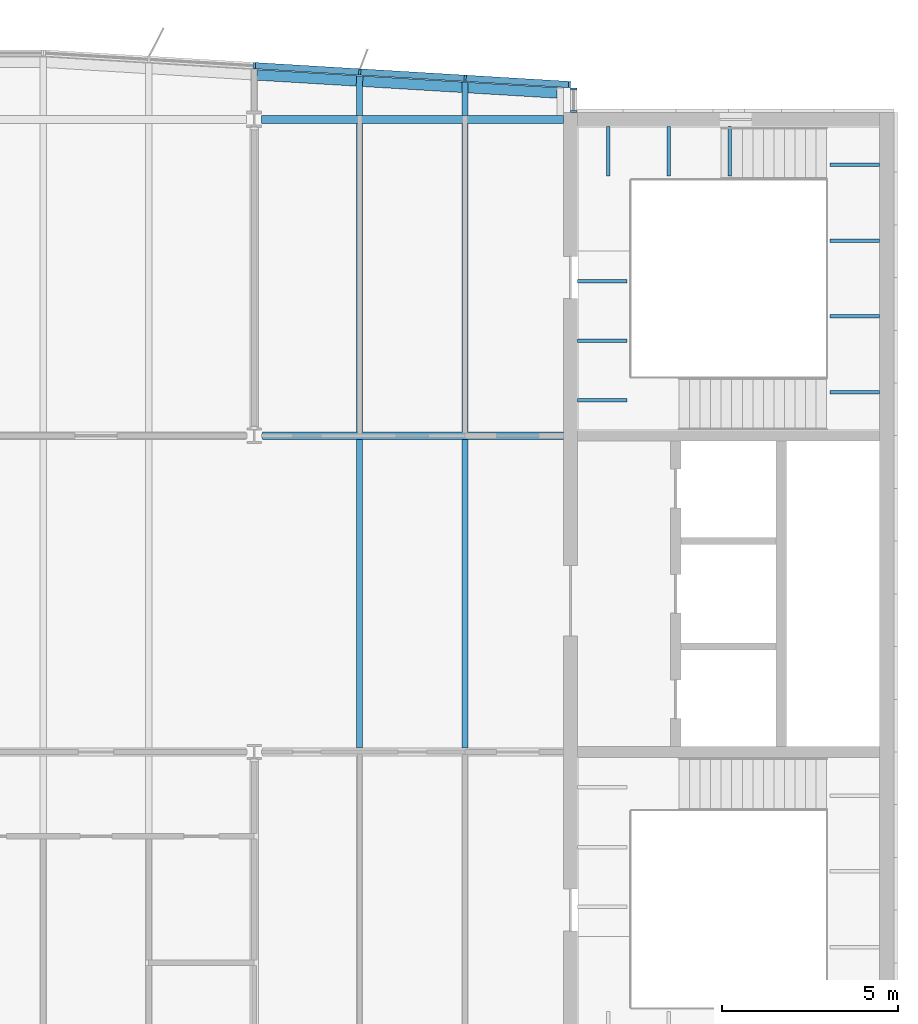
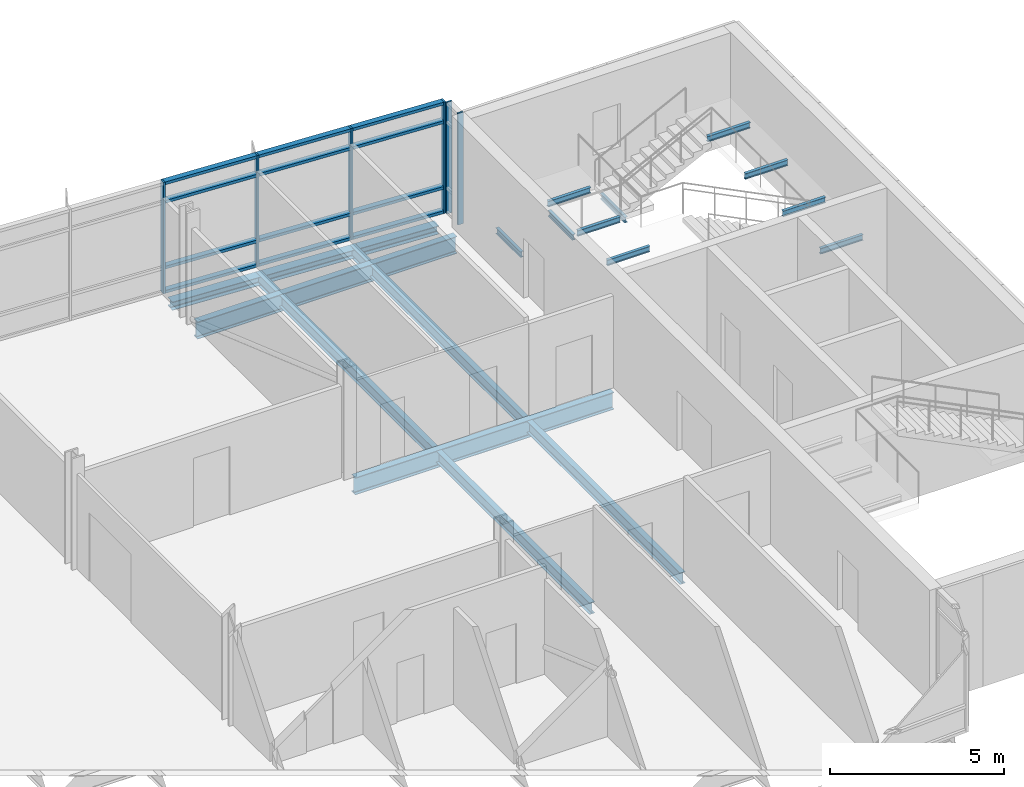
# One storey, part 8 of 21: 21 beams, 18 members, 2 elements without a shape of their own.
"""IFC4 building model written with IfcOpenShell, lengths in metres."""

from ifc_helpers import new_model, si_unit, direction, frame, origin, origin_2d, place, context, subcontext, project, spatial, rectangle, i_section, extrude, material, material_profile, profile_set, type_object, element, aggregate, save


model = new_model("IFC4")

# Units and contexts
model_context = context("Model", 3, precision=1e-05, world=origin(), true_north=direction((0.0, 1.0)))
body_context = subcontext(model_context, "Body", "Model", "MODEL_VIEW")
ifc_project = project(units=[si_unit("LENGTHUNIT", "METRE"), si_unit("AREAUNIT", "SQUARE_METRE"), si_unit("VOLUMEUNIT", "CUBIC_METRE"), si_unit("PLANEANGLEUNIT", "RADIAN"), si_unit("MASSUNIT", "GRAM", prefix="KILO")], contexts=[model_context])

# Site, building, storey
site_placement = place(None, origin())
site = spatial("IfcSite", under=ifc_project, at=site_placement, CompositionType="ELEMENT")
building_placement = place(site_placement, origin())
building = spatial("IfcBuilding", under=site, at=building_placement, Name="Azimuth Sports and Learning Centre", CompositionType="ELEMENT")
storey_placement = place(building_placement, frame((0.0, 0.0, 32.39990234375)))
storey = spatial("IfcBuildingStorey", under=building, at=storey_placement, Name="L06", CompositionType="ELEMENT", Elevation=32.39990234375)

# Beams
ifc_material_1 = material(Name="Steel S355", Category="steel")
ifc_material_profile_1 = material_profile(ifc_material_1, i_section(OverallWidth=0.10009765625, OverallDepth=0.199951171875, WebThickness=0.005615234375, FlangeThickness=0.008544921875, FilletRadius=0.011962890625, at=origin_2d()), Name="IPE 200")
ifc_profile_set_1 = profile_set([ifc_material_profile_1], Name="Steel S355")
beam_type_1 = type_object("IfcBeamType", Name="Beam IPE 200", PredefinedType="BEAM", material=ifc_profile_set_1)
for number, where, z_axis, x_axis, name in (
    (1, (109.0732421875, 116.800048828125, -0.2998046875), (0.0, -1.0, 0.0), (1.0, 0.0, 0.0), "Landing bracket E2 L06 593"),
    (2, (110.800048828125, 116.800048828125, -0.2998046875), (0.0, -1.0, 0.0), (1.0, 0.0, 0.0), "Landing bracket E2 L06 594"),
    (3, (112.526611328125, 116.800048828125, -0.2998046875), (0.0, -1.0, 0.0), (1.0, 0.0, 0.0), "Landing bracket E2 L06 595"),
    (4, (116.800048828125, 109.23876953125, 1.35009765625), (-1.0, 0.0, 0.0), (0.0, -1.0, 0.0), "Landing bracket E2 L06 596"),
    (5, (116.800048828125, 111.396240234375, 1.35009765625), (-1.0, 0.0, 0.0), (0.0, -1.0, 0.0), "Landing bracket E2 L06 597"),
    (6, (116.800048828125, 113.5537109375, 1.35009765625), (-1.0, 0.0, 0.0), (0.0, -1.0, 0.0), "Landing bracket E2 L06 598"),
    (7, (116.800048828125, 115.711181640625, 1.35009765625), (-1.0, 0.0, 0.0), (0.0, -1.0, 0.0), "Landing bracket E2 L06 599"),
    (8, (108.199951171875, 109.00830078125, 3.60009765625), (1.0, 0.0, 0.0), (0.0, 1.0, 0.0), "Landing bracket E2 L06 600"),
    (9, (108.199951171875, 110.705078125, 3.60009765625), (1.0, 0.0, 0.0), (0.0, 1.0, 0.0), "Landing bracket E2 L06 601"),
    (10, (108.199951171875, 112.401611328125, 3.60009765625), (1.0, 0.0, 0.0), (0.0, 1.0, 0.0), "Landing bracket E2 L06 602"),
):
    element("IfcBeam", number, at=place(storey_placement, frame(where, z_axis=z_axis, x_axis=x_axis)), inside=storey, type_object=beam_type_1, Name=name, PredefinedType="BEAM", context=body_context, shape_type="SweptSolid", body=[
        extrude(i_section(OverallWidth=0.10009765625, OverallDepth=0.199951171875, WebThickness=0.005615234375, FlangeThickness=0.008544921875, FilletRadius=0.011962890625, at=origin_2d()), origin(), (0.0, 0.0, 1.0), 1.41015625),
    ])
ifc_material_2 = material(Name="Steel S355", Category="steel")
ifc_material_profile_2 = material_profile(ifc_material_2, i_section(OverallWidth=0.219970703125, OverallDepth=0.60009765625, WebThickness=0.011962890625, FlangeThickness=0.01904296875, FilletRadius=0.02392578125, at=origin_2d()), Name="IPE 600")
ifc_profile_set_2 = profile_set([ifc_material_profile_2], Name="Steel S355")
beam_type_2 = type_object("IfcBeamType", Name="Beam IPE 600", PredefinedType="BEAM", material=ifc_profile_set_2)
beam_1_placement = place(storey_placement, frame((99.238037109375, 108.0, -0.429931640625), z_axis=(1.0, 0.0, 0.0), x_axis=(0.0, 1.0, 0.0)))
element("IfcBeam", 11, at=beam_1_placement, inside=storey, type_object=beam_type_2, Name="Tower girder L06", PredefinedType="BEAM", context=body_context, shape_type="SweptSolid", body=[
    extrude(i_section(OverallWidth=0.219970703125, OverallDepth=0.60009765625, WebThickness=0.011962890625, FlangeThickness=0.01904296875, FilletRadius=0.02392578125, at=origin_2d()), origin(), (0.0, 0.0, 1.0), 8.56201171875),
])
beam_2_placement = place(storey_placement, frame((99.2119140625, 117.0, -0.429931640625), z_axis=(1.0, 0.0, 0.0), x_axis=(0.0, 1.0, 0.0)))
element("IfcBeam", 12, at=beam_2_placement, inside=storey, type_object=beam_type_2, Name="Tower girder L06", PredefinedType="BEAM", context=body_context, shape_type="SweptSolid", body=[
    extrude(i_section(OverallWidth=0.219970703125, OverallDepth=0.60009765625, WebThickness=0.011962890625, FlangeThickness=0.01904296875, FilletRadius=0.02392578125, at=origin_2d()), origin(), (0.0, 0.0, 1.0), 8.588134765625),
])
ifc_material_3 = material(Name="Steel S355", Category="steel")
ifc_material_profile_3 = material_profile(ifc_material_3, i_section(OverallWidth=0.179931640625, OverallDepth=0.39990234375, WebThickness=0.008544921875, FlangeThickness=0.013427734375, FilletRadius=0.02099609375, at=origin_2d()), Name="IPE 400")
ifc_profile_set_3 = profile_set([ifc_material_profile_3], Name="Steel S355")
beam_type_3 = type_object("IfcBeamType", Name="Cantilever stub IPE 400", PredefinedType="JOIST", material=ifc_profile_set_3)
beam_3_placement = place(storey_placement, frame((102.0, 117.110107421875, -0.329833984375), z_axis=(0.0, 1.0, 0.0), x_axis=(-1.0, 0.0, 0.0)))
element("IfcBeam", 13, at=beam_3_placement, inside=storey, type_object=beam_type_3, Name="Tower cantilever stub", PredefinedType="JOIST", context=body_context, shape_type="SweptSolid", body=[
    extrude(i_section(OverallWidth=0.179931640625, OverallDepth=0.39990234375, WebThickness=0.008544921875, FlangeThickness=0.013427734375, FilletRadius=0.02099609375, at=origin_2d()), origin(), (0.0, 0.0, 1.0), 1.1298828125),
])
beam_4_placement = place(storey_placement, frame((105.0, 117.110107421875, -0.329833984375), z_axis=(0.0, 1.0, 0.0), x_axis=(-1.0, 0.0, 0.0)))
element("IfcBeam", 14, at=beam_4_placement, inside=storey, type_object=beam_type_3, Name="Tower cantilever stub", PredefinedType="JOIST", context=body_context, shape_type="SweptSolid", body=[
    extrude(i_section(OverallWidth=0.179931640625, OverallDepth=0.39990234375, WebThickness=0.008544921875, FlangeThickness=0.013427734375, FilletRadius=0.02099609375, at=origin_2d()), origin(), (0.0, 0.0, 1.0), 0.949951171875),
])
ifc_material_4 = material(Name="Steel S355", Category="steel")
ifc_material_profile_4 = material_profile(ifc_material_4, i_section(OverallWidth=0.300048828125, OverallDepth=0.2900390625, WebThickness=0.008544921875, FlangeThickness=0.013916015625, FilletRadius=0.027099609375, at=origin_2d()), Name="HEA 300")
ifc_profile_set_4 = profile_set([ifc_material_profile_4], Name="Steel S355")
beam_type_4 = type_object("IfcBeamType", Name="Edge beam HEA 300", PredefinedType="SPANDREL", material=ifc_profile_set_4)
for number, where, z_axis, x_axis, name in (
    (15, (99.090087890625, 118.2646484375, -0.27490234375), (0.998204845466, -0.059892290728, 0.0), (0.059892290728, 0.998204845466, 0.0), "Tower edge beam"),
    (16, (102.090087890625, 118.084716796875, -0.27490234375), (0.998199674899, -0.059978404708, 0.0), (0.059978404708, 0.998199674899, 0.0), "Tower edge beam"),
):
    element("IfcBeam", number, at=place(storey_placement, frame(where, z_axis=z_axis, x_axis=x_axis)), inside=storey, type_object=beam_type_4, Name=name, PredefinedType="SPANDREL", context=body_context, shape_type="SweptSolid", body=[
        extrude(i_section(OverallWidth=0.300048828125, OverallDepth=0.2900390625, WebThickness=0.008544921875, FlangeThickness=0.013916015625, FilletRadius=0.027099609375, at=origin_2d()), origin(), (0.0, 0.0, 1.0), 2.824951171875),
    ])
beam_5_placement = place(storey_placement, frame((105.090087890625, 117.904541015625, -0.27490234375), z_axis=(0.998203578329, -0.059913405937, 0.0), x_axis=(0.059913405937, 0.998203578329, 0.0)))
element("IfcBeam", 17, at=beam_5_placement, inside=storey, type_object=beam_type_4, Name="Tower edge beam", PredefinedType="SPANDREL", context=body_context, shape_type="SweptSolid", body=[
    extrude(i_section(OverallWidth=0.300048828125, OverallDepth=0.2900390625, WebThickness=0.008544921875, FlangeThickness=0.013916015625, FilletRadius=0.027099609375, at=origin_2d()), origin(), (0.0, 0.0, 1.0), 2.53466796875),
])
ifc_material_5 = material(Name="Steel S355", Category="steel")
ifc_material_profile_5 = material_profile(ifc_material_5, i_section(OverallWidth=0.179931640625, OverallDepth=0.39990234375, WebThickness=0.008544921875, FlangeThickness=0.013427734375, FilletRadius=0.02099609375, at=origin_2d()), Name="IPE 400")
ifc_profile_set_5 = profile_set([ifc_material_profile_5], Name="Steel S355")
beam_type_5 = type_object("IfcBeamType", Name="Joist IPE 400", PredefinedType="JOIST", material=ifc_profile_set_5)
for number, where, z_axis, x_axis, name in (
    (18, (102.0, 99.110107421875, -0.329833984375), (0.0, 1.0, 0.0), (-1.0, 0.0, 0.0), "Tower joist"),
    (19, (102.0, 108.110107421875, -0.329833984375), (0.0, 1.0, 0.0), (-1.0, 0.0, 0.0), "Tower joist"),
    (20, (105.0, 99.110107421875, -0.329833984375), (0.0, 1.0, 0.0), (-1.0, 0.0, 0.0), "Tower joist"),
    (21, (105.0, 108.110107421875, -0.329833984375), (0.0, 1.0, 0.0), (-1.0, 0.0, 0.0), "Tower joist"),
):
    element("IfcBeam", number, at=place(storey_placement, frame(where, z_axis=z_axis, x_axis=x_axis)), inside=storey, type_object=beam_type_5, Name=name, PredefinedType="JOIST", context=body_context, shape_type="SweptSolid", body=[
        extrude(i_section(OverallWidth=0.179931640625, OverallDepth=0.39990234375, WebThickness=0.008544921875, FlangeThickness=0.013427734375, FilletRadius=0.02099609375, at=origin_2d()), origin(), (0.0, 0.0, 1.0), 8.77978515625),
    ])

# Curtain wall, members
ifc_material_6 = material(Name="Aluminium and glass", Category="aluminium")
curtain_wall_type_1 = type_object("IfcCurtainWallType", Name="Curtain wall tower return 180", PredefinedType="NOTDEFINED", material=ifc_material_6)
curtain_wall_1_placement = place(storey_placement, origin())
curtain_wall_1 = element("IfcCurtainWall", 22, at=curtain_wall_1_placement, inside=storey, type_object=curtain_wall_type_1, Name="Curtain wall CW06-006", PredefinedType="NOTDEFINED")
ifc_material_7 = material(Name="Aluminium", Category="aluminium")
ifc_material_profile_6 = material_profile(ifc_material_7, rectangle(XDim=0.179931640625, YDim=0.06005859375, at=origin_2d()), Name="Mullion 60x180")
ifc_profile_set_6 = profile_set([ifc_material_profile_6], Name="Aluminium")
member_type_1 = type_object("IfcMemberType", Name="Mullion 60x180", PredefinedType="MULLION", material=ifc_profile_set_6)
member_1_placement = place(storey_placement, frame((108.090087890625, 117.22998046875, 0.0), z_axis=(0.0, 0.0, 1.0), x_axis=(-1.0, 0.0, 0.0)))
member_1 = element("IfcMember", 23, at=member_1_placement, type_object=member_type_1, Name="CW06-006 mullion 1", PredefinedType="MULLION", context=body_context, shape_type="SweptSolid", body=[
    extrude(rectangle(XDim=0.179931640625, YDim=0.06005859375, at=origin_2d()), origin(), (0.0, 0.0, 1.0), 3.900146484375),
])
member_2_placement = place(storey_placement, frame((108.090087890625, 117.8701171875, 0.0), z_axis=(0.0, 0.0, 1.0), x_axis=(-1.0, 0.0, 0.0)))
member_2 = element("IfcMember", 24, at=member_2_placement, type_object=member_type_1, Name="CW06-006 mullion 2", PredefinedType="MULLION", context=body_context, shape_type="SweptSolid", body=[
    extrude(rectangle(XDim=0.179931640625, YDim=0.06005859375, at=origin_2d()), origin(), (0.0, 0.0, 1.0), 3.900146484375),
])
aggregate(curtain_wall_1, [member_1, member_2])

ifc_material_8 = material(Name="Aluminium and glass", Category="aluminium")
curtain_wall_type_2 = type_object("IfcCurtainWallType", Name="Curtain wall tower north 180", PredefinedType="NOTDEFINED", material=ifc_material_8)
curtain_wall_2_placement = place(storey_placement, origin())
curtain_wall_2 = element("IfcCurtainWall", 25, at=curtain_wall_2_placement, inside=storey, type_object=curtain_wall_type_2, Name="Curtain wall CW06-007", PredefinedType="NOTDEFINED")
member_3_placement = place(storey_placement, frame((107.975341796875, 117.99169921875, 0.0), z_axis=(0.0, 0.0, 1.0), x_axis=(-0.059891991812, -0.998204863401, 0.0)))
member_3 = element("IfcMember", 26, at=member_3_placement, type_object=member_type_1, Name="CW06-007 mullion 1", PredefinedType="MULLION", context=body_context, shape_type="SweptSolid", body=[
    extrude(rectangle(XDim=0.179931640625, YDim=0.06005859375, at=origin_2d()), origin(), (0.0, 0.0, 1.0), 3.900146484375),
])
member_4_placement = place(storey_placement, frame((105.00537109375, 118.169921875, 0.0), z_axis=(0.0, 0.0, 1.0), x_axis=(-0.059891991812, -0.998204863401, 0.0)))
member_4 = element("IfcMember", 27, at=member_4_placement, type_object=member_type_1, Name="CW06-007 mullion 2", PredefinedType="MULLION", context=body_context, shape_type="SweptSolid", body=[
    extrude(rectangle(XDim=0.179931640625, YDim=0.06005859375, at=origin_2d()), origin(), (0.0, 0.0, 1.0), 3.900146484375),
])
member_5_placement = place(storey_placement, frame((102.00537109375, 118.349853515625, 0.0), z_axis=(0.0, 0.0, 1.0), x_axis=(-0.059891991812, -0.998204863401, 0.0)))
member_5 = element("IfcMember", 28, at=member_5_placement, type_object=member_type_1, Name="CW06-007 mullion 3", PredefinedType="MULLION", context=body_context, shape_type="SweptSolid", body=[
    extrude(rectangle(XDim=0.179931640625, YDim=0.06005859375, at=origin_2d()), origin(), (0.0, 0.0, 1.0), 3.900146484375),
])
member_6_placement = place(storey_placement, frame((99.00537109375, 118.52978515625, 0.0), z_axis=(0.0, 0.0, 1.0), x_axis=(-0.059891991812, -0.998204863401, 0.0)))
member_6 = element("IfcMember", 29, at=member_6_placement, type_object=member_type_1, Name="CW06-007 mullion 4", PredefinedType="MULLION", context=body_context, shape_type="SweptSolid", body=[
    extrude(rectangle(XDim=0.179931640625, YDim=0.06005859375, at=origin_2d()), origin(), (0.0, 0.0, 1.0), 3.900146484375),
])
ifc_material_9 = material(Name="Aluminium", Category="aluminium")
ifc_material_profile_7 = material_profile(ifc_material_9, rectangle(XDim=0.179931640625, YDim=0.10009765625, at=origin_2d()), Name="Transom 100x180")
ifc_profile_set_7 = profile_set([ifc_material_profile_7], Name="Aluminium")
member_type_2 = type_object("IfcMemberType", Name="Transom 100x180", PredefinedType="USERDEFINED", material=ifc_profile_set_7)
member_7_placement = place(storey_placement, frame((107.945556640625, 117.993408203125, 0.050048828125), z_axis=(-0.998205846627, 0.059875602377, 0.0), x_axis=(-0.059875602377, -0.998205846627, 0.0)))
member_7 = element("IfcMember", 30, at=member_7_placement, type_object=member_type_2, Name="CW06-007 transom 1.1", ObjectType="TRANSOM", PredefinedType="USERDEFINED", context=body_context, shape_type="SweptSolid", body=[
    extrude(rectangle(XDim=0.179931640625, YDim=0.10009765625, at=origin_2d()), origin(), (0.0, 0.0, 1.0), 2.915283203125),
])
member_8_placement = place(storey_placement, frame((107.945556640625, 117.993408203125, 0.900146484375), z_axis=(-0.998205846627, 0.059875602377, 0.0), x_axis=(-0.059875602377, -0.998205846627, 0.0)))
member_8 = element("IfcMember", 31, at=member_8_placement, type_object=member_type_2, Name="CW06-007 transom 1.2", ObjectType="TRANSOM", PredefinedType="USERDEFINED", context=body_context, shape_type="SweptSolid", body=[
    extrude(rectangle(XDim=0.179931640625, YDim=0.10009765625, at=origin_2d()), origin(), (0.0, 0.0, 1.0), 2.915283203125),
])
member_9_placement = place(storey_placement, frame((107.945556640625, 117.993408203125, 3.2001953125), z_axis=(-0.998205846627, 0.059875602377, 0.0), x_axis=(-0.059875602377, -0.998205846627, 0.0)))
member_9 = element("IfcMember", 32, at=member_9_placement, type_object=member_type_2, Name="CW06-007 transom 1.3", ObjectType="TRANSOM", PredefinedType="USERDEFINED", context=body_context, shape_type="SweptSolid", body=[
    extrude(rectangle(XDim=0.179931640625, YDim=0.10009765625, at=origin_2d()), origin(), (0.0, 0.0, 1.0), 2.915283203125),
])
member_10_placement = place(storey_placement, frame((107.945556640625, 117.993408203125, 3.85009765625), z_axis=(-0.998205846627, 0.059875602377, 0.0), x_axis=(-0.059875602377, -0.998205846627, 0.0)))
member_10 = element("IfcMember", 33, at=member_10_placement, type_object=member_type_2, Name="CW06-007 transom 1.4", ObjectType="TRANSOM", PredefinedType="USERDEFINED", context=body_context, shape_type="SweptSolid", body=[
    extrude(rectangle(XDim=0.179931640625, YDim=0.10009765625, at=origin_2d()), origin(), (0.0, 0.0, 1.0), 2.915283203125),
])
member_11_placement = place(storey_placement, frame((104.975341796875, 118.171630859375, 0.050048828125), z_axis=(-0.998202465912, 0.059931936792, 0.0), x_axis=(-0.059931936792, -0.998202465912, 0.0)))
member_11 = element("IfcMember", 34, at=member_11_placement, type_object=member_type_2, Name="CW06-007 transom 2.1", ObjectType="TRANSOM", PredefinedType="USERDEFINED", context=body_context, shape_type="SweptSolid", body=[
    extrude(rectangle(XDim=0.179931640625, YDim=0.10009765625, at=origin_2d()), origin(), (0.0, 0.0, 1.0), 2.9453125),
])
member_12_placement = place(storey_placement, frame((104.975341796875, 118.171630859375, 0.900146484375), z_axis=(-0.998202465912, 0.059931936792, 0.0), x_axis=(-0.059931936792, -0.998202465912, 0.0)))
member_12 = element("IfcMember", 35, at=member_12_placement, type_object=member_type_2, Name="CW06-007 transom 2.2", ObjectType="TRANSOM", PredefinedType="USERDEFINED", context=body_context, shape_type="SweptSolid", body=[
    extrude(rectangle(XDim=0.179931640625, YDim=0.10009765625, at=origin_2d()), origin(), (0.0, 0.0, 1.0), 2.9453125),
])
member_13_placement = place(storey_placement, frame((104.975341796875, 118.171630859375, 3.2001953125), z_axis=(-0.998202465912, 0.059931936792, 0.0), x_axis=(-0.059931936792, -0.998202465912, 0.0)))
member_13 = element("IfcMember", 36, at=member_13_placement, type_object=member_type_2, Name="CW06-007 transom 2.3", ObjectType="TRANSOM", PredefinedType="USERDEFINED", context=body_context, shape_type="SweptSolid", body=[
    extrude(rectangle(XDim=0.179931640625, YDim=0.10009765625, at=origin_2d()), origin(), (0.0, 0.0, 1.0), 2.9453125),
])
member_14_placement = place(storey_placement, frame((104.975341796875, 118.171630859375, 3.85009765625), z_axis=(-0.998202465912, 0.059931936792, 0.0), x_axis=(-0.059931936792, -0.998202465912, 0.0)))
member_14 = element("IfcMember", 37, at=member_14_placement, type_object=member_type_2, Name="CW06-007 transom 2.4", ObjectType="TRANSOM", PredefinedType="USERDEFINED", context=body_context, shape_type="SweptSolid", body=[
    extrude(rectangle(XDim=0.179931640625, YDim=0.10009765625, at=origin_2d()), origin(), (0.0, 0.0, 1.0), 2.9453125),
])
member_15_placement = place(storey_placement, frame((101.975341796875, 118.3515625, 0.050048828125), z_axis=(-0.998202465912, 0.059931936792, 0.0), x_axis=(-0.059931936792, -0.998202465912, 0.0)))
member_15 = element("IfcMember", 38, at=member_15_placement, type_object=member_type_2, Name="CW06-007 transom 3.1", ObjectType="TRANSOM", PredefinedType="USERDEFINED", context=body_context, shape_type="SweptSolid", body=[
    extrude(rectangle(XDim=0.179931640625, YDim=0.10009765625, at=origin_2d()), origin(), (0.0, 0.0, 1.0), 2.9453125),
])
member_16_placement = place(storey_placement, frame((101.975341796875, 118.3515625, 0.900146484375), z_axis=(-0.998202465912, 0.059931936792, 0.0), x_axis=(-0.059931936792, -0.998202465912, 0.0)))
member_16 = element("IfcMember", 39, at=member_16_placement, type_object=member_type_2, Name="CW06-007 transom 3.2", ObjectType="TRANSOM", PredefinedType="USERDEFINED", context=body_context, shape_type="SweptSolid", body=[
    extrude(rectangle(XDim=0.179931640625, YDim=0.10009765625, at=origin_2d()), origin(), (0.0, 0.0, 1.0), 2.9453125),
])
member_17_placement = place(storey_placement, frame((101.975341796875, 118.3515625, 3.2001953125), z_axis=(-0.998202465912, 0.059931936792, 0.0), x_axis=(-0.059931936792, -0.998202465912, 0.0)))
member_17 = element("IfcMember", 40, at=member_17_placement, type_object=member_type_2, Name="CW06-007 transom 3.3", ObjectType="TRANSOM", PredefinedType="USERDEFINED", context=body_context, shape_type="SweptSolid", body=[
    extrude(rectangle(XDim=0.179931640625, YDim=0.10009765625, at=origin_2d()), origin(), (0.0, 0.0, 1.0), 2.9453125),
])
member_18_placement = place(storey_placement, frame((101.975341796875, 118.3515625, 3.85009765625), z_axis=(-0.998202465912, 0.059931936792, 0.0), x_axis=(-0.059931936792, -0.998202465912, 0.0)))
member_18 = element("IfcMember", 41, at=member_18_placement, type_object=member_type_2, Name="CW06-007 transom 3.4", ObjectType="TRANSOM", PredefinedType="USERDEFINED", context=body_context, shape_type="SweptSolid", body=[
    extrude(rectangle(XDim=0.179931640625, YDim=0.10009765625, at=origin_2d()), origin(), (0.0, 0.0, 1.0), 2.9453125),
])
aggregate(curtain_wall_2, [member_3, member_4, member_5, member_6, member_7, member_8, member_9, member_10, member_11, member_12, member_13, member_14, member_15, member_16, member_17, member_18])

save(model, "model.ifc")
